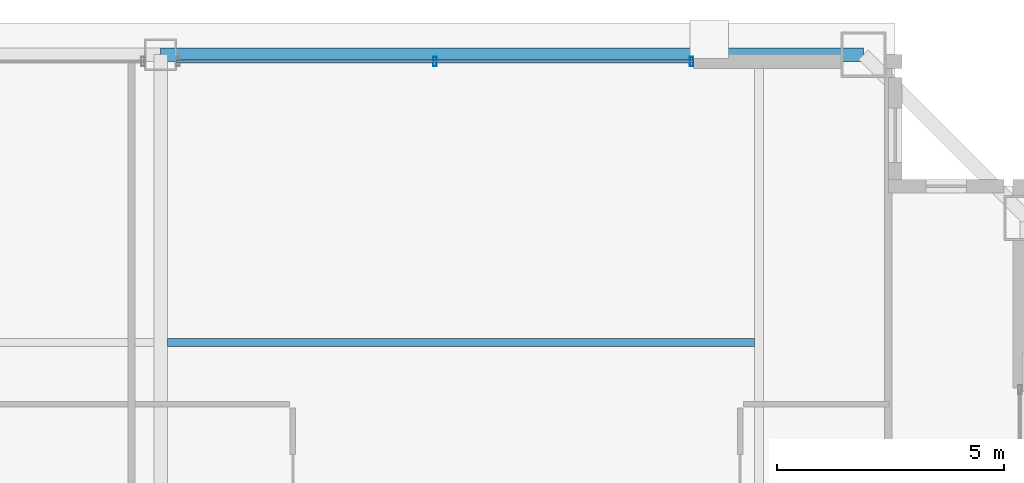
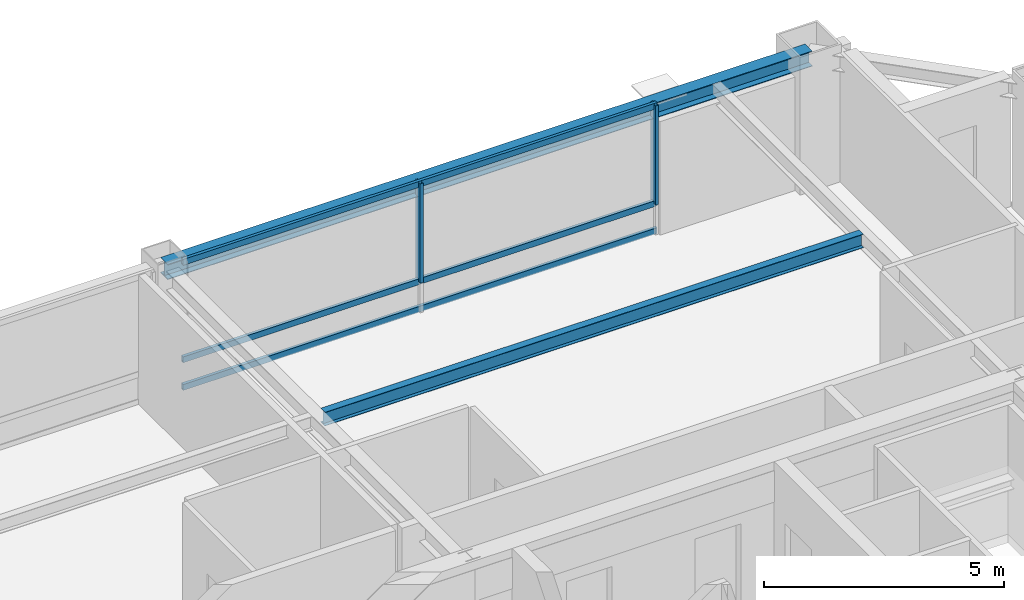
# One storey, part 19 of 34: 5 members, 2 beams, 1 element without a shape of its own.
"""IFC4 building model written with IfcOpenShell, lengths in metres."""

from ifc_helpers import new_model, si_unit, direction, frame, origin, origin_2d, place, context, subcontext, project, spatial, hollow_rectangle, i_section, extrude, source, transform, mapped, material, layer, layer_set, material_profile, profile_set, type_object, element, aggregate, save


model = new_model("IFC4")

# Units and contexts
model_context = context("Model", 3, precision=1e-05, world=origin(), true_north=direction((0.0, 1.0)))
body_context = subcontext(model_context, "Body", "Model", "MODEL_VIEW")
ifc_project = project(units=[si_unit("LENGTHUNIT", "METRE"), si_unit("AREAUNIT", "SQUARE_METRE"), si_unit("VOLUMEUNIT", "CUBIC_METRE"), si_unit("PLANEANGLEUNIT", "RADIAN"), si_unit("MASSUNIT", "GRAM", prefix="KILO"), si_unit("THERMODYNAMICTEMPERATUREUNIT", "KELVIN"), si_unit("POWERUNIT", "WATT")], contexts=[model_context])

# Site, building, storey
site_placement = place(None, origin())
site = spatial("IfcSite", under=ifc_project, at=site_placement, CompositionType="ELEMENT")
building_placement = place(site_placement, origin())
building = spatial("IfcBuilding", under=site, at=building_placement, Name="Yuzanri Waterfront Tower", CompositionType="ELEMENT")
storey_placement = place(building_placement, frame((0.0, 0.0, 325.199951171875)))
storey = spatial("IfcBuildingStorey", under=building, at=storey_placement, Name="L87", CompositionType="ELEMENT", Elevation=325.199951171875)

# Beams
ifc_material_1 = material(Name="Steel Q355B", Category="steel")
ifc_material_profile_1 = material_profile(ifc_material_1, i_section(OverallWidth=0.175048828125, OverallDepth=0.35009765625, WebThickness=0.007080078125, FlangeThickness=0.010986328125, at=origin_2d()), Name="HN 350x175x7x11")
ifc_profile_set_1 = profile_set([ifc_material_profile_1], Name="Steel Q355B")
beam_type_1 = type_object("IfcBeamType", Name="Floor Joist Q355B HN 350x175", PredefinedType="JOIST", material=ifc_profile_set_1)
shared_shape_1 = source(origin(), body_context, "Body", "SweptSolid", [
    extrude(i_section(OverallWidth=0.175048828125, OverallDepth=0.35009765625, WebThickness=0.007080078125, FlangeThickness=0.010986328125, at=origin_2d()), origin(), (0.0, 0.0, 1.0), 12.9501953125),
])
beam_1_placement = place(storey_placement, frame((37.14990234375, 38.550048828125, 3.10498046875), z_axis=(1.0, 0.0, 0.0), x_axis=(0.0, 1.0, 0.0)))
element("IfcBeam", 1, at=beam_1_placement, inside=storey, type_object=beam_type_1, Name="L87 North Bay Joist E", PredefinedType="JOIST", context=body_context, shape_type="MappedRepresentation", body=[
    mapped(shared_shape_1, transform((0.0, 0.0, 0.0), scale=1.0)),
])
ifc_material_2 = material(Name="Steel Q355B", Category="steel")
ifc_material_profile_2 = material_profile(ifc_material_2, i_section(OverallWidth=0.300048828125, OverallDepth=0.389892578125, WebThickness=0.010009765625, FlangeThickness=0.01611328125, at=origin_2d()), Name="HM 390x300x10x16")
ifc_profile_set_2 = profile_set([ifc_material_profile_2], Name="Steel Q355B")
beam_type_2 = type_object("IfcBeamType", Name="Perimeter Spandrel Q355B HM 390x300", PredefinedType="SPANDREL", material=ifc_profile_set_2)
shared_shape_2 = source(origin(), body_context, "Body", "SweptSolid", [
    extrude(i_section(OverallWidth=0.300048828125, OverallDepth=0.389892578125, WebThickness=0.010009765625, FlangeThickness=0.01611328125, at=origin_2d()), origin(), (0.0, 0.0, 1.0), 15.5),
])
beam_2_placement = place(storey_placement, frame((52.5, 44.89990234375, 3.0849609375), z_axis=(-1.0, 0.0, 0.0), x_axis=(0.0, -1.0, 0.0)))
element("IfcBeam", 2, at=beam_2_placement, inside=storey, type_object=beam_type_2, Name="L87 Perimeter Spandrel N3-N2", PredefinedType="SPANDREL", context=body_context, shape_type="MappedRepresentation", body=[
    mapped(shared_shape_2, transform((0.0, 0.0, 0.0), scale=1.0)),
])

# Curtain wall, members
ifc_material_3 = material(Name="Anodized Architectural Bronze", Category="metal")
ifc_layer = layer(ifc_material_3, 0.159912109375)
ifc_layer_set = layer_set([ifc_layer], Name="Anodized Architectural Bronze")
curtain_wall_type = type_object("IfcCurtainWallType", Name="Anodized Bronze High-Rise Penthouse High-Wind Unitized Curtain Wall 6900", PredefinedType="NOTDEFINED", material=ifc_layer_set)
curtain_wall_placement = place(storey_placement, origin())
curtain_wall = element("IfcCurtainWall", 3, at=curtain_wall_placement, inside=storey, type_object=curtain_wall_type, Name="L87 Curtain Wall CW-L87-NR", PredefinedType="NOTDEFINED")
ifc_material_4 = material(Name="Anodized Architectural Bronze", Category="metal")
ifc_material_profile_3 = material_profile(ifc_material_4, hollow_rectangle(XDim=0.074951171875, YDim=0.199951171875, WallThickness=0.00390625, at=origin_2d()), Name="CWM 75x200")
ifc_profile_set_3 = profile_set([ifc_material_profile_3], Name="Anodized Architectural Bronze")
member_type_1 = type_object("IfcMemberType", Name="Anodized Bronze Primary Curtain-Wall Mullion 75x200", PredefinedType="MULLION", material=ifc_profile_set_3)
shared_shape_3 = source(origin(), body_context, "Body", "SweptSolid", [
    extrude(hollow_rectangle(XDim=0.074951171875, YDim=0.199951171875, WallThickness=0.00390625, at=origin_2d()), origin(), (0.0, 0.0, 1.0), 2.52392578125),
])
member_1_placement = place(storey_placement, frame((43.050048828125, 44.75, 0.756103515625), z_axis=(0.0, 0.0, 1.0), x_axis=(1.0, 0.0, 0.0)))
member_1 = element("IfcMember", 4, at=member_1_placement, type_object=member_type_1, Name="CW-L87-NR Upper Mullion 01", PredefinedType="MULLION", context=body_context, shape_type="MappedRepresentation", body=[
    mapped(shared_shape_3, transform((0.0, 0.0, 0.0), scale=1.0)),
])
member_2_placement = place(storey_placement, frame((48.7099609375, 44.75, 0.756103515625), z_axis=(0.0, 0.0, 1.0), x_axis=(1.0, 0.0, 0.0)))
member_2 = element("IfcMember", 5, at=member_2_placement, type_object=member_type_1, Name="CW-L87-NR Upper Mullion 02", PredefinedType="MULLION", context=body_context, shape_type="MappedRepresentation", body=[
    mapped(shared_shape_3, transform((0.0, 0.0, 0.0), scale=1.0)),
])
ifc_material_5 = material(Name="Anodized Architectural Bronze", Category="metal")
ifc_material_profile_4 = material_profile(ifc_material_5, hollow_rectangle(XDim=0.074951171875, YDim=0.14990234375, WallThickness=0.00390625, at=origin_2d()), Name="CWT 75x150")
ifc_profile_set_4 = profile_set([ifc_material_profile_4], Name="Anodized Architectural Bronze")
member_type_2 = type_object("IfcMemberType", Name="Anodized Bronze Primary Curtain-Wall Transom 75x150", PredefinedType="USERDEFINED", material=ifc_profile_set_4)
shared_shape_4 = source(origin(), body_context, "Body", "SweptSolid", [
    extrude(hollow_rectangle(XDim=0.074951171875, YDim=0.14990234375, WallThickness=0.00390625, at=origin_2d()), origin(), (0.0, 0.0, 1.0), 11.39990234375),
])
member_3_placement = place(storey_placement, frame((37.35009765625, 44.75, 0.050048828125), z_axis=(1.0, 0.0, 0.0), x_axis=(0.0, 1.0, 0.0)))
member_3 = element("IfcMember", 6, at=member_3_placement, type_object=member_type_2, Name="CW-L87-NR Transom 1", ObjectType="TRANSOM", PredefinedType="USERDEFINED", context=body_context, shape_type="MappedRepresentation", body=[
    mapped(shared_shape_4, transform((0.0, 0.0, 0.0), scale=1.0)),
])
member_4_placement = place(storey_placement, frame((37.35009765625, 44.75, 0.754150390625), z_axis=(1.0, 0.0, 0.0), x_axis=(0.0, 1.0, 0.0)))
member_4 = element("IfcMember", 7, at=member_4_placement, type_object=member_type_2, Name="CW-L87-NR Transom 2", ObjectType="TRANSOM", PredefinedType="USERDEFINED", context=body_context, shape_type="MappedRepresentation", body=[
    mapped(shared_shape_4, transform((0.0, 0.0, 0.0), scale=1.0)),
])
member_5_placement = place(storey_placement, frame((37.35009765625, 44.75, 3.22998046875), z_axis=(1.0, 0.0, 0.0), x_axis=(0.0, 1.0, 0.0)))
member_5 = element("IfcMember", 8, at=member_5_placement, type_object=member_type_2, Name="CW-L87-NR Transom 3", ObjectType="TRANSOM", PredefinedType="USERDEFINED", context=body_context, shape_type="MappedRepresentation", body=[
    mapped(shared_shape_4, transform((0.0, 0.0, 0.0), scale=1.0)),
])
aggregate(curtain_wall, [member_1, member_2, member_3, member_4, member_5])

save(model, "model.ifc")
